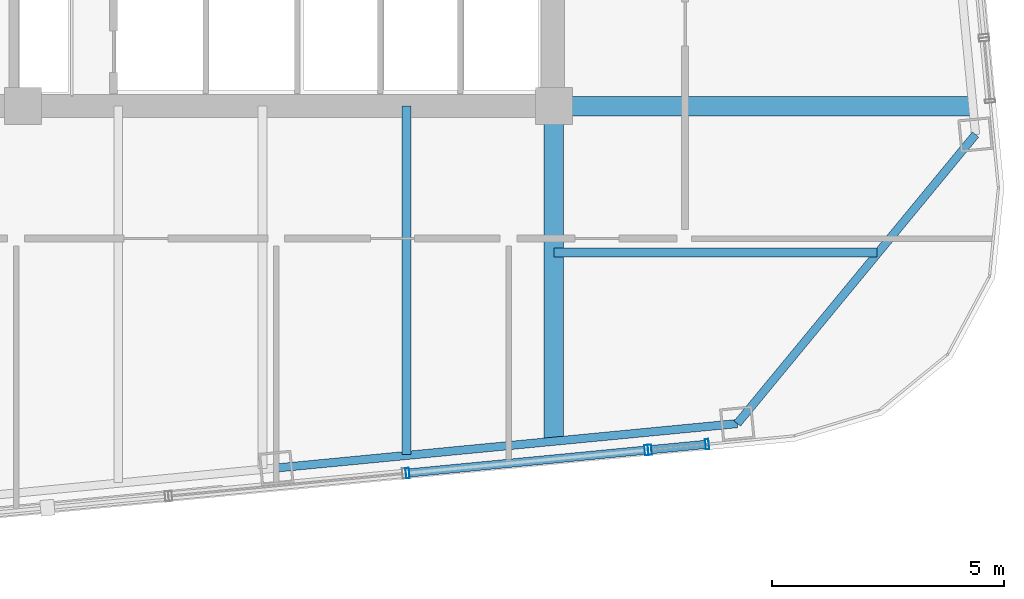
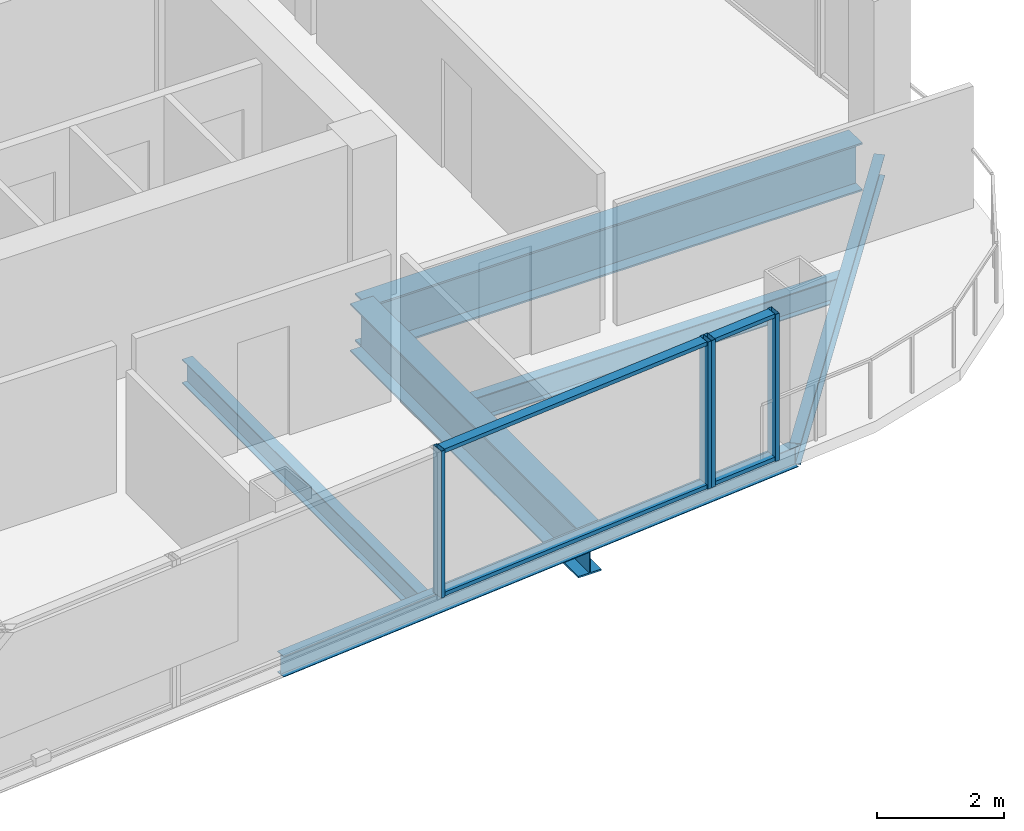
# One storey, part 9 of 22: 8 members, 6 beams, 2 elements without a shape of their own.
"""IFC4 building model written with IfcOpenShell, lengths in metres."""

from ifc_helpers import new_model, si_unit, direction, frame, origin, origin_2d, place, context, subcontext, project, spatial, hollow_rectangle, i_section, extrude, material, layer, layer_set, material_profile, profile_set, type_object, element, aggregate, save


model = new_model("IFC4")

# Units and contexts
model_context = context("Model", 3, precision=1e-05, world=origin(), true_north=direction((0.0, 1.0)))
body_context = subcontext(model_context, "Body", "Model", "MODEL_VIEW")
ifc_project = project(units=[si_unit("LENGTHUNIT", "METRE"), si_unit("AREAUNIT", "SQUARE_METRE"), si_unit("VOLUMEUNIT", "CUBIC_METRE"), si_unit("PLANEANGLEUNIT", "RADIAN"), si_unit("MASSUNIT", "GRAM", prefix="KILO")], contexts=[model_context])

# Site, building, storey
site_placement = place(None, origin())
site = spatial("IfcSite", under=ifc_project, at=site_placement, CompositionType="ELEMENT")
building_placement = place(site_placement, origin())
building = spatial("IfcBuilding", under=site, at=building_placement, Name="Qhalaya Broadcast Tower", CompositionType="ELEMENT")
storey_placement = place(building_placement, frame((0.0, 0.0, 165.300048828125)))
storey = spatial("IfcBuildingStorey", under=building, at=storey_placement, Name="L48", CompositionType="ELEMENT", Elevation=165.300048828125)

# Beams
ifc_material_1 = material(Name="Structural Steel ASTM A992 Grade 50", Category="steel")
ifc_material_profile_1 = material_profile(ifc_material_1, i_section(OverallWidth=0.19189453125, OverallDepth=0.462890625, WebThickness=0.010498046875, FlangeThickness=0.017578125, at=origin_2d()), Name="W18X60")
ifc_profile_set_1 = profile_set([ifc_material_profile_1], Name="Structural Steel ASTM A992 Grade 50")
beam_type_1 = type_object("IfcBeamType", Name="Composite Floor Joist J03", PredefinedType="JOIST", material=ifc_profile_set_1)
beam_1_placement = place(storey_placement, frame((6.199951171875, -16.24755859375, -0.45166015625), z_axis=(0.0, 1.0, 0.0), x_axis=(-1.0, 0.0, 0.0)))
element("IfcBeam", 1, at=beam_1_placement, inside=storey, type_object=beam_type_1, Name="L48 J03 L48-JNS5-1", PredefinedType="JOIST", context=body_context, shape_type="SweptSolid", body=[
    extrude(i_section(OverallWidth=0.19189453125, OverallDepth=0.462890625, WebThickness=0.010498046875, FlangeThickness=0.017578125, at=origin_2d()), origin(), (0.0, 0.0, 1.0), 7.49755859375),
])
beam_2_placement = place(storey_placement, frame((9.375, -11.89990234375, -0.45166015625), z_axis=(1.0, 0.0, 0.0), x_axis=(0.0, 1.0, 0.0)))
element("IfcBeam", 2, at=beam_2_placement, inside=storey, type_object=beam_type_1, Name="L48 J03 L48-JWE2E-1", PredefinedType="JOIST", context=body_context, shape_type="SweptSolid", body=[
    extrude(i_section(OverallWidth=0.19189453125, OverallDepth=0.462890625, WebThickness=0.010498046875, FlangeThickness=0.017578125, at=origin_2d()), origin(), (0.0, 0.0, 1.0), 6.95458984375),
])
ifc_material_profile_2 = material_profile(ifc_material_1, i_section(OverallWidth=0.4189453125, OverallDepth=0.927001953125, WebThickness=0.019287109375, FlangeThickness=0.031982421875, at=origin_2d()), Name="W36X231")
ifc_profile_set_2 = profile_set([ifc_material_profile_2], Name="Structural Steel ASTM A992 Grade 50")
beam_type_2 = type_object("IfcBeamType", Name="Mid Block Primary Girder PG3", PredefinedType="USERDEFINED", material=ifc_profile_set_2)
beam_3_placement = place(storey_placement, frame((9.375, -15.94189453125, -0.68359375), z_axis=(0.0, 1.0, 0.0), x_axis=(-1.0, 0.0, 0.0)))
element("IfcBeam", 3, at=beam_3_placement, inside=storey, type_object=beam_type_2, Name="L48 PG3 L48-PGXS2-1", ObjectType="GIRDER", PredefinedType="USERDEFINED", context=body_context, shape_type="SweptSolid", body=[
    extrude(i_section(OverallWidth=0.4189453125, OverallDepth=0.927001953125, WebThickness=0.019287109375, FlangeThickness=0.031982421875, at=origin_2d()), origin(), (0.0, 0.0, 1.0), 7.19189453125),
])
beam_4_placement = place(storey_placement, frame((9.375, -8.75, -0.68359375), z_axis=(1.0, 0.0, 0.0), x_axis=(0.0, 1.0, 0.0)))
element("IfcBeam", 4, at=beam_4_placement, inside=storey, type_object=beam_type_2, Name="L48 PG3 L48-PGYE1-1", ObjectType="GIRDER", PredefinedType="USERDEFINED", context=body_context, shape_type="SweptSolid", body=[
    extrude(i_section(OverallWidth=0.4189453125, OverallDepth=0.927001953125, WebThickness=0.019287109375, FlangeThickness=0.031982421875, at=origin_2d()), origin(), (0.0, 0.0, 1.0), 8.993896484375),
])

# Curtain wall, members
ifc_material_2 = material(Name="Fired Architectural Terracotta", Category="masonry")
ifc_layer_1 = layer(ifc_material_2, 0.219970703125, Name="Fired Architectural Terracotta")
ifc_layer_set_1 = layer_set([ifc_layer_1], Name="Fired Architectural Terracotta")
curtain_wall_type_1 = type_object("IfcCurtainWallType", Name="Block-Cap Unitised Terracotta Spandrel Wall CW-07", PredefinedType="NOTDEFINED", material=ifc_layer_set_1)
curtain_wall_1_placement = place(storey_placement, origin())
curtain_wall_1 = element("IfcCurtainWall", 5, at=curtain_wall_1_placement, inside=storey, type_object=curtain_wall_type_1, Name="L48 Unitised Curtain Wall L48-CW-S6", PredefinedType="NOTDEFINED")
ifc_material_3 = material(Name="Anodised Aluminium 6063-T6", Category="aluminium")
ifc_material_profile_3 = material_profile(ifc_material_3, hollow_rectangle(XDim=0.074951171875, YDim=0.219970703125, WallThickness=0.00390625, at=origin_2d()), Name="ALU-MUL 75x220x4")
ifc_profile_set_3 = profile_set([ifc_material_profile_3], Name="Anodised Aluminium 6063-T6")
member_type_1 = type_object("IfcMemberType", Name="Unitised Curtain-Wall Mullion M01", PredefinedType="MULLION", material=ifc_profile_set_3)
member_1_placement = place(storey_placement, frame((6.226318359375, -16.64697265625, 0.0), z_axis=(0.0, 0.0, 1.0), x_axis=(0.995395267059, 0.095855424032, 0.0)))
member_1 = element("IfcMember", 6, at=member_1_placement, type_object=member_type_1, Name="CW-07 mullion 1", PredefinedType="MULLION", context=body_context, shape_type="SweptSolid", body=[
    extrude(hollow_rectangle(XDim=0.074951171875, YDim=0.219970703125, WallThickness=0.00390625, at=origin_2d()), origin(), (0.0, 0.0, 1.0), 2.829833984375),
])
member_2_placement = place(storey_placement, frame((11.363525390625, -16.152099609375, 0.0), z_axis=(0.0, 0.0, 1.0), x_axis=(0.995395267059, 0.095855424032, 0.0)))
member_2 = element("IfcMember", 7, at=member_2_placement, type_object=member_type_1, Name="CW-07 mullion 2", PredefinedType="MULLION", context=body_context, shape_type="SweptSolid", body=[
    extrude(hollow_rectangle(XDim=0.074951171875, YDim=0.219970703125, WallThickness=0.00390625, at=origin_2d()), origin(), (0.0, 0.0, 1.0), 2.829833984375),
])

ifc_material_4 = material(Name="Solar-Control Low-E Triple Glazing", Category="glass")
ifc_layer_2 = layer(ifc_material_4, 0.219970703125, Name="Solar-Control Low-E Triple Glazing")
ifc_layer_set_2 = layer_set([ifc_layer_2], Name="Solar-Control Low-E Triple Glazing")
curtain_wall_type_2 = type_object("IfcCurtainWallType", Name="Even-Block 4-Storey Double-Module Curtain Wall CW-03", PredefinedType="NOTDEFINED", material=ifc_layer_set_2)
curtain_wall_2_placement = place(storey_placement, origin())
curtain_wall_2 = element("IfcCurtainWall", 8, at=curtain_wall_2_placement, inside=storey, type_object=curtain_wall_type_2, Name="L48 Unitised Curtain Wall L48-CW-S7", PredefinedType="NOTDEFINED")
member_3_placement = place(storey_placement, frame((11.438232421875, -16.14501953125, 0.0), z_axis=(0.0, 0.0, 1.0), x_axis=(0.99539857312, 0.095821086563, 0.0)))
member_3 = element("IfcMember", 9, at=member_3_placement, type_object=member_type_1, Name="CW-03 mullion 1", PredefinedType="MULLION", context=body_context, shape_type="SweptSolid", body=[
    extrude(hollow_rectangle(XDim=0.074951171875, YDim=0.219970703125, WallThickness=0.00390625, at=origin_2d()), origin(), (0.0, 0.0, 1.0), 2.829833984375),
])
member_4_placement = place(storey_placement, frame((12.67236328125, -16.026123046875, 0.0), z_axis=(0.0, 0.0, 1.0), x_axis=(0.99539857312, 0.095821086563, 0.0)))
member_4 = element("IfcMember", 10, at=member_4_placement, type_object=member_type_1, Name="CW-03 mullion 2", PredefinedType="MULLION", context=body_context, shape_type="SweptSolid", body=[
    extrude(hollow_rectangle(XDim=0.074951171875, YDim=0.219970703125, WallThickness=0.00390625, at=origin_2d()), origin(), (0.0, 0.0, 1.0), 2.829833984375),
])

# Member
ifc_material_profile_4 = material_profile(ifc_material_3, hollow_rectangle(XDim=0.074951171875, YDim=0.179931640625, WallThickness=0.00390625, at=origin_2d()), Name="ALU-TRN 75x180x4")
ifc_profile_set_4 = profile_set([ifc_material_profile_4], Name="Anodised Aluminium 6063-T6")
member_type_2 = type_object("IfcMemberType", Name="Unitised Curtain-Wall Transom T01", PredefinedType="USERDEFINED", material=ifc_profile_set_4)
member_5_placement = place(storey_placement, frame((6.263671875, -16.643310546875, 0.037353515625), z_axis=(0.995394593967, 0.095862413395, 0.0), x_axis=(0.0, 0.0, 1.0)))
member_5 = element("IfcMember", 11, at=member_5_placement, type_object=member_type_2, Name="CW-07 transom 1.1", ObjectType="TRANSOM", PredefinedType="USERDEFINED", context=body_context, shape_type="SweptSolid", body=[
    extrude(hollow_rectangle(XDim=0.074951171875, YDim=0.179931640625, WallThickness=0.00390625, at=origin_2d()), origin(), (0.0, 0.0, 1.0), 5.0859375),
])

member_6_placement = place(storey_placement, frame((6.263671875, -16.643310546875, 2.79248046875), z_axis=(0.995394593967, 0.095862413395, 0.0), x_axis=(0.0, 0.0, 1.0)))
member_6 = element("IfcMember", 12, at=member_6_placement, type_object=member_type_2, Name="CW-07 transom 1.2", ObjectType="TRANSOM", PredefinedType="USERDEFINED", context=body_context, shape_type="SweptSolid", body=[
    extrude(hollow_rectangle(XDim=0.074951171875, YDim=0.179931640625, WallThickness=0.00390625, at=origin_2d()), origin(), (0.0, 0.0, 1.0), 5.0859375),
])

aggregate(curtain_wall_1, [member_1, member_2, member_5, member_6])

member_7_placement = place(storey_placement, frame((11.4755859375, -16.141357421875, 0.037353515625), z_axis=(0.995403652262, 0.095768309281, 0.0), x_axis=(0.0, 0.0, 1.0)))
member_7 = element("IfcMember", 13, at=member_7_placement, type_object=member_type_2, Name="CW-03 transom 1.1", ObjectType="TRANSOM", PredefinedType="USERDEFINED", context=body_context, shape_type="SweptSolid", body=[
    extrude(hollow_rectangle(XDim=0.074951171875, YDim=0.179931640625, WallThickness=0.00390625, at=origin_2d()), origin(), (0.0, 0.0, 1.0), 1.1650390625),
])

member_8_placement = place(storey_placement, frame((11.4755859375, -16.141357421875, 2.79248046875), z_axis=(0.995403652262, 0.095768309281, 0.0), x_axis=(0.0, 0.0, 1.0)))
member_8 = element("IfcMember", 14, at=member_8_placement, type_object=member_type_2, Name="CW-03 transom 1.2", ObjectType="TRANSOM", PredefinedType="USERDEFINED", context=body_context, shape_type="SweptSolid", body=[
    extrude(hollow_rectangle(XDim=0.074951171875, YDim=0.179931640625, WallThickness=0.00390625, at=origin_2d()), origin(), (0.0, 0.0, 1.0), 1.1650390625),
])

aggregate(curtain_wall_2, [member_3, member_4, member_7, member_8])

# Beams
ifc_material_profile_5 = material_profile(ifc_material_1, i_section(OverallWidth=0.177978515625, OverallDepth=0.406005859375, WebThickness=0.0078125, FlangeThickness=0.0126953125, at=origin_2d()), Name="W16X40")
ifc_profile_set_5 = profile_set([ifc_material_profile_5], Name="Structural Steel ASTM A992 Grade 50")
beam_type_3 = type_object("IfcBeamType", Name="Upper Perimeter Spandrel Beam SP2", PredefinedType="SPANDREL", material=ifc_profile_set_5)
beam_5_placement = place(storey_placement, frame((3.399658203125, -16.537353515625, -0.423095703125), z_axis=(0.995395510024, 0.095852900965, 0.0), x_axis=(-0.095852900965, 0.995395510024, 0.0)))
element("IfcBeam", 15, at=beam_5_placement, inside=storey, type_object=beam_type_3, Name="L48 SP2 L48-SPR-03", PredefinedType="SPANDREL", context=body_context, shape_type="SweptSolid", body=[
    extrude(i_section(OverallWidth=0.177978515625, OverallDepth=0.406005859375, WebThickness=0.0078125, FlangeThickness=0.0126953125, at=origin_2d()), origin(), (0.0, 0.0, 1.0), 9.966552734375),
])
beam_6_placement = place(storey_placement, frame((13.3203125, -15.58203125, -0.423095703125), z_axis=(0.636085107008, 0.771618906354, 0.0), x_axis=(-0.771618906354, 0.636085107008, 0.0)))
element("IfcBeam", 16, at=beam_6_placement, inside=storey, type_object=beam_type_3, Name="L48 SP2 L48-SPR-04", PredefinedType="SPANDREL", context=body_context, shape_type="SweptSolid", body=[
    extrude(i_section(OverallWidth=0.177978515625, OverallDepth=0.406005859375, WebThickness=0.0078125, FlangeThickness=0.0126953125, at=origin_2d()), origin(), (0.0, 0.0, 1.0), 8.06103515625),
])

save(model, "model.ifc")
